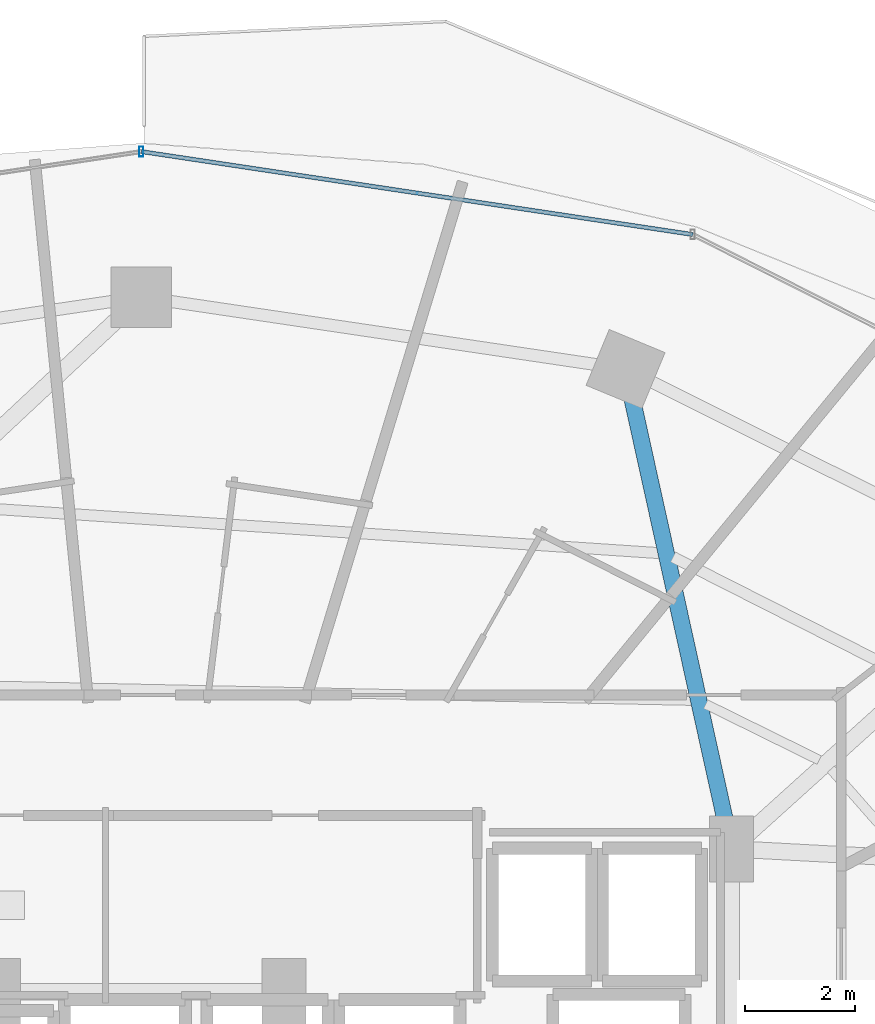
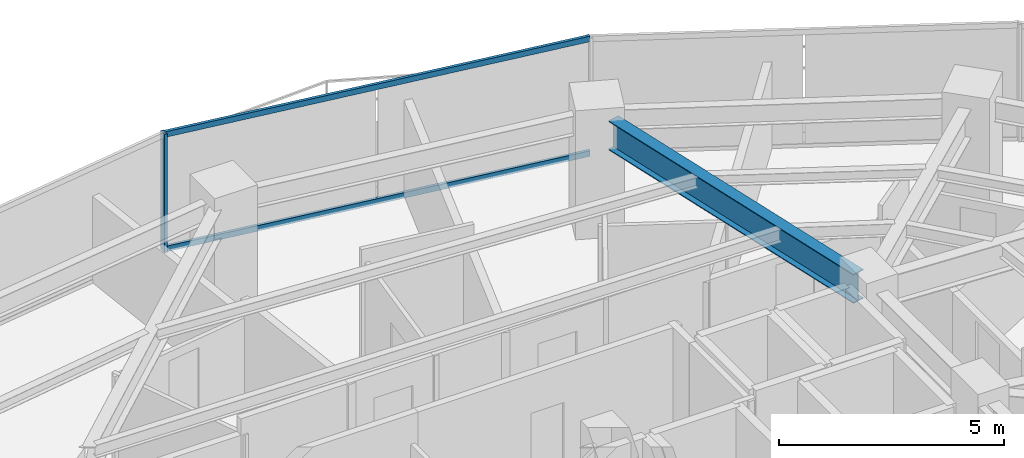
# One storey, part 19 of 29: 3 members, 1 beam, 1 element without a shape of its own.
"""IFC4 building model written with IfcOpenShell, lengths in metres."""

from ifc_helpers import new_model, si_unit, direction, frame, origin, origin_2d, place, context, subcontext, project, spatial, hollow_rectangle, i_section, extrude, material, material_profile, profile_set, type_object, element, aggregate, save


model = new_model("IFC4")

# Units and contexts
model_context = context("Model", 3, precision=1e-05, world=origin(), true_north=direction((0.0, 1.0)))
body_context = subcontext(model_context, "Body", "Model", "MODEL_VIEW")
ifc_project = project(units=[si_unit("LENGTHUNIT", "METRE"), si_unit("AREAUNIT", "SQUARE_METRE"), si_unit("VOLUMEUNIT", "CUBIC_METRE"), si_unit("PLANEANGLEUNIT", "RADIAN"), si_unit("MASSUNIT", "GRAM", prefix="KILO")], contexts=[model_context])

# Site, building, storey
site_placement = place(None, origin())
site = spatial("IfcSite", under=ifc_project, at=site_placement, CompositionType="ELEMENT")
building_placement = place(site_placement, origin())
building = spatial("IfcBuilding", under=site, at=building_placement, Name="Vorneva Point Tower", CompositionType="ELEMENT")
storey_placement = place(building_placement, frame((0.0, 0.0, 120.800048828125)))
storey = spatial("IfcBuildingStorey", under=building, at=storey_placement, Name="L32", CompositionType="ELEMENT", Elevation=120.800048828125)

# Beam
ifc_material_1 = material(Name="Steel S355", Category="steel")
ifc_material_profile_1 = material_profile(ifc_material_1, i_section(OverallWidth=0.300048828125, OverallDepth=0.7880859375, WebThickness=0.014404296875, FlangeThickness=0.02197265625, at=origin_2d()), Name="80Sh1")
ifc_profile_set_1 = profile_set([ifc_material_profile_1], Name="Steel S355")
beam_type = type_object("IfcBeamType", Name="BM-GRD-80Sh1", PredefinedType="USERDEFINED", material=ifc_profile_set_1)
beam_placement = place(storey_placement, frame((46.936767578125, 41.365234375, 2.755859375), z_axis=(0.215530944428, -0.976497010745, 0.0), x_axis=(0.976497010745, 0.215530944428, 0.0)))
element("IfcBeam", 1, at=beam_placement, inside=storey, type_object=beam_type, Name="L32 Radial Primary Girder 04", ObjectType="GIRDER", PredefinedType="USERDEFINED", context=body_context, shape_type="SweptSolid", body=[
    extrude(i_section(OverallWidth=0.300048828125, OverallDepth=0.7880859375, WebThickness=0.014404296875, FlangeThickness=0.02197265625, at=origin_2d()), origin(), (0.0, 0.0, 1.0), 8.072998046875),
])

# Curtain wall, members
ifc_material_2 = material(Name="Pale anodised aluminium", Category="aluminium")
curtain_wall_type = type_object("IfcCurtainWallType", Name="CW-HTL-SYS", PredefinedType="NOTDEFINED", material=ifc_material_2)
curtain_wall_placement = place(storey_placement, origin())
curtain_wall = element("IfcCurtainWall", 2, at=curtain_wall_placement, inside=storey, type_object=curtain_wall_type, Name="L32 Unitised Curtain Wall CW-L32-R01", PredefinedType="NOTDEFINED")
ifc_material_profile_2 = material_profile(ifc_material_2, hollow_rectangle(XDim=0.074951171875, YDim=0.179931640625, WallThickness=0.00390625, at=origin_2d()), Name="AL-MUL 180x75x4")
ifc_profile_set_2 = profile_set([ifc_material_profile_2], Name="Pale anodised aluminium")
member_type_1 = type_object("IfcMemberType", Name="CW-MUL-180", PredefinedType="MULLION", material=ifc_profile_set_2)
member_1_placement = place(storey_placement, frame((38.0, 45.85009765625, -0.0400390625), z_axis=(0.0, 0.0, 1.0), x_axis=(1.0, 0.0, 0.0)))
member_1 = element("IfcMember", 3, at=member_1_placement, type_object=member_type_1, Name="CW-L32-R01 Mullion 04", PredefinedType="MULLION", context=body_context, shape_type="SweptSolid", body=[
    extrude(hollow_rectangle(XDim=0.074951171875, YDim=0.179931640625, WallThickness=0.00390625, at=origin_2d()), origin(), (0.0, 0.0, 1.0), 3.219970703125),
])
ifc_material_profile_3 = material_profile(ifc_material_2, hollow_rectangle(XDim=0.074951171875, YDim=0.14990234375, WallThickness=0.00390625, at=origin_2d()), Name="AL-TRN 150x75x4")
ifc_profile_set_3 = profile_set([ifc_material_profile_3], Name="Pale anodised aluminium")
member_type_2 = type_object("IfcMemberType", Name="CW-TRN-150", PredefinedType="USERDEFINED", material=ifc_profile_set_3)
member_2_placement = place(storey_placement, frame((48.04541015625, 44.339111328125, 0.02001953125), z_axis=(-0.988875982167, 0.148742367512, 0.0), x_axis=(-0.148742367512, -0.988875982167, 0.0)))
member_2 = element("IfcMember", 4, at=member_2_placement, type_object=member_type_2, Name="CW-L32-R01 Transom 03.1", ObjectType="TRANSOM", PredefinedType="USERDEFINED", context=body_context, shape_type="SweptSolid", body=[
    extrude(hollow_rectangle(XDim=0.074951171875, YDim=0.14990234375, WallThickness=0.00390625, at=origin_2d()), origin(), (0.0, 0.0, 1.0), 10.158447265625),
])
member_3_placement = place(storey_placement, frame((48.04541015625, 44.339111328125, 3.1298828125), z_axis=(-0.988875982167, 0.148742367512, 0.0), x_axis=(-0.148742367512, -0.988875982167, 0.0)))
member_3 = element("IfcMember", 5, at=member_3_placement, type_object=member_type_2, Name="CW-L32-R01 Transom 03.2", ObjectType="TRANSOM", PredefinedType="USERDEFINED", context=body_context, shape_type="SweptSolid", body=[
    extrude(hollow_rectangle(XDim=0.074951171875, YDim=0.14990234375, WallThickness=0.00390625, at=origin_2d()), origin(), (0.0, 0.0, 1.0), 10.158447265625),
])
aggregate(curtain_wall, [member_1, member_2, member_3])

save(model, "model.ifc")
